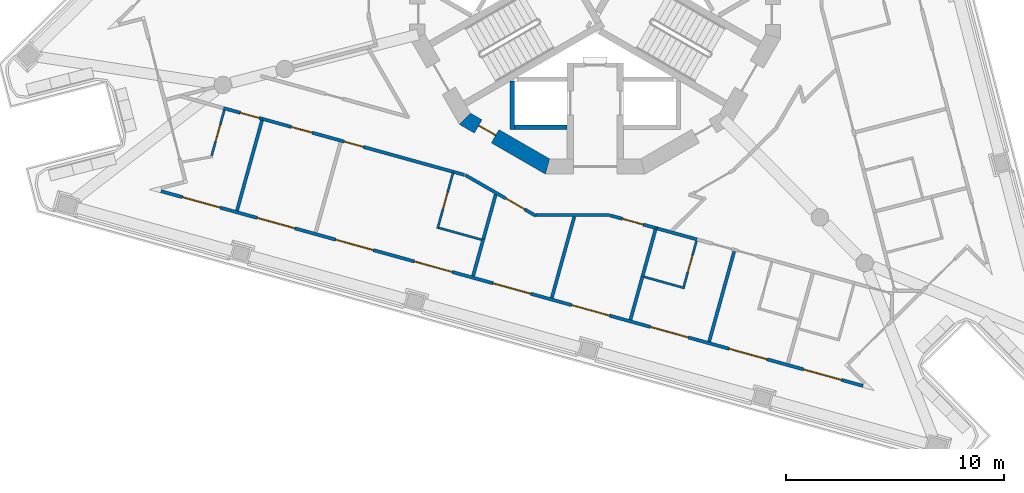
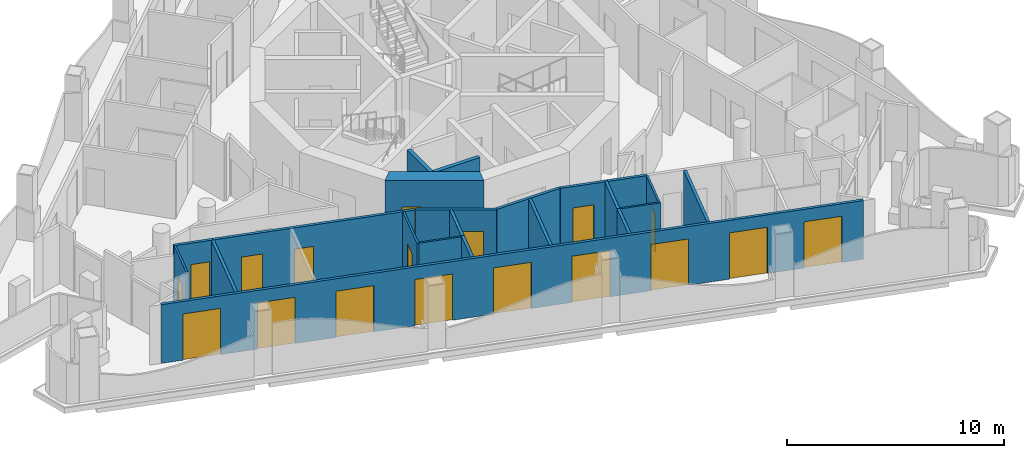
# One storey, part 2 of 14: 23 walls, 18 doors, 18 openings.
"""IFC4 building model written with IfcOpenShell, lengths in metres."""

import ifcopenshell
import ifcopenshell.guid

model = None  # the IFC model being written
_history = None  # IfcOwnerHistory: only IFC2X3 demands one
_inside = {}  # id of a spatial element -> (the spatial element, [elements in it])
_under = {}  # id of a project, library or spatial element -> (it, [spatial elements below it])
_declared = {}  # id of a project -> (the project, [libraries it declares])
_typed = {}  # id of a type object -> (the type object, [elements of that type])
_made_of = {}  # id of a material, layer set ... -> (it, [elements and type objects made of it])


def new_model(schema):
    """Start an empty IFC model of exactly this schema.

    Asked for "IFC4X3", IfcOpenShell would pick the latest addendum, in which some entities
    have other attributes; the version numbers below select the first issue.
    IFC2X3 requires an IfcOwnerHistory on every rooted entity: one is made here for all.
    """
    global model, _history
    if schema == "IFC4X3":
        model = ifcopenshell.file(schema_version=(4, 3, 0, 0))
    else:
        model = ifcopenshell.file(schema=schema)
    _inside.clear()
    _under.clear()
    _declared.clear()
    _typed.clear()
    _made_of.clear()
    _history = None
    if model.schema == "IFC2X3":
        org = make("IfcOrganization", Name="unknown")
        user = make(
            "IfcPersonAndOrganization",
            ThePerson=make("IfcPerson", FamilyName="unknown"),
            TheOrganization=org,
        )
        app = make(
            "IfcApplication",
            ApplicationDeveloper=org,
            Version="unknown",
            ApplicationFullName="unknown",
            ApplicationIdentifier="unknown",
        )
        _history = make(
            "IfcOwnerHistory",
            OwningUser=user,
            OwningApplication=app,
            ChangeAction="ADDED",
            CreationDate=0,
        )
    return model


def make(cls, **values):
    """One entity of the class cls with the attributes given. An attribute that is None is left unset."""
    return model.create_entity(
        cls, **{name: value for name, value in values.items() if value is not None}
    )


def rooted(cls, **values):
    """An entity with a GlobalId (a new one), such as an element, a storey or a relation."""
    return make(cls, GlobalId=ifcopenshell.guid.new(), OwnerHistory=_history, **values)


def si_unit(unit_type, name, prefix=None):
    """IfcSIUnit, for example si_unit("LENGTHUNIT", "METRE", prefix="MILLI")."""
    return make("IfcSIUnit", UnitType=unit_type, Prefix=prefix, Name=name)


def assignment(units):
    """IfcUnitAssignment: the units of a project."""
    return None if units is None else make("IfcUnitAssignment", Units=units)


def point(xyz):
    """IfcCartesianPoint."""
    return None if xyz is None else make("IfcCartesianPoint", Coordinates=xyz)


def direction(xyz):
    """IfcDirection."""
    return None if xyz is None else make("IfcDirection", DirectionRatios=xyz)


def frame(location, z_axis=None, x_axis=None):
    """IfcAxis2Placement3D, a coordinate frame: its origin and axes. An axis left out is left unset."""
    return make(
        "IfcAxis2Placement3D",
        Location=point(location),
        Axis=direction(z_axis),
        RefDirection=direction(x_axis),
    )


def frame_2d(location, x_axis=None):
    """IfcAxis2Placement2D, a coordinate frame in the plane: its origin and x axis."""
    return make(
        "IfcAxis2Placement2D", Location=point(location), RefDirection=direction(x_axis)
    )


def origin():
    """The frame at (0, 0, 0) with its axes left unset."""
    return frame((0.0, 0.0, 0.0))


def place(relative_to, where):
    """IfcLocalPlacement: puts the frame where relative to a parent placement (None: the world)."""
    return make(
        "IfcLocalPlacement", PlacementRelTo=relative_to, RelativePlacement=where
    )


def context(
    kind, dimensions, precision=None, world=None, true_north=None, identifier=None
):
    """IfcGeometricRepresentationContext, for example the 3D "Model" context."""
    return make(
        "IfcGeometricRepresentationContext",
        ContextIdentifier=identifier,
        ContextType=kind,
        CoordinateSpaceDimension=dimensions,
        Precision=precision,
        WorldCoordinateSystem=world,
        TrueNorth=true_north,
    )


def subcontext(parent, identifier, kind, view, scale=None):
    """IfcGeometricRepresentationSubContext, for example "Body" below "Model"."""
    return make(
        "IfcGeometricRepresentationSubContext",
        ContextIdentifier=identifier,
        ContextType=kind,
        ParentContext=parent,
        TargetScale=scale,
        TargetView=view,
    )


def project(units=None, contexts=None):
    """IfcProject with its units and contexts."""
    return rooted(
        "IfcProject",
        Name="project",
        RepresentationContexts=contexts,
        UnitsInContext=assignment(units),
    )


def spatial(cls, under=None, at=None, **own):
    """A site, building, storey or space (cls), placed at a placement, below another one or the project."""
    s = rooted(cls, ObjectPlacement=at, **own)
    if under is not None:
        _under.setdefault(under.id(), (under, []))[1].append(s)
    return s


def polyline(points):
    """IfcPolyline through the points."""
    return make("IfcPolyline", Points=[point(p) for p in points])


def profile(cls, at=None, kind="AREA", **sizes):
    """A parametric profile (cls). Its sizes go by their IFC names, for example OverallWidth=200.0."""
    return make(cls, ProfileType=kind, Position=at, **sizes)


def rectangle(**sizes):
    """IfcRectangleProfileDef."""
    return profile("IfcRectangleProfileDef", **sizes)


def outline(outer, holes=None, kind="AREA"):
    """IfcArbitraryClosedProfileDef: a profile drawn as a closed curve; with holes, ...WithVoids."""
    if holes is None:
        return make("IfcArbitraryClosedProfileDef", ProfileType=kind, OuterCurve=outer)
    return make(
        "IfcArbitraryProfileDefWithVoids",
        ProfileType=kind,
        OuterCurve=outer,
        InnerCurves=holes,
    )


def extrude(swept, where, along, depth):
    """IfcExtrudedAreaSolid: the profile swept, set in the frame where, extruded along a direction by depth."""
    return make(
        "IfcExtrudedAreaSolid",
        SweptArea=swept,
        Position=where,
        ExtrudedDirection=direction(along),
        Depth=depth,
    )


def shape(context_of_items, identifier, shape_type, items):
    """IfcShapeRepresentation: the items that make up one representation, for example the "Body"."""
    return make(
        "IfcShapeRepresentation",
        ContextOfItems=context_of_items,
        RepresentationIdentifier=identifier,
        RepresentationType=shape_type,
        Items=items,
    )


def material(Name=None, Category=None):
    """IfcMaterial."""
    return make("IfcMaterial", Name=Name, Category=Category)


def layer(
    of_material, thickness, ventilated=None, Name=None, Category=None, Priority=None
):
    """IfcMaterialLayer: one layer of a wall or slab, of a material (None: an air gap)."""
    return make(
        "IfcMaterialLayer",
        Material=of_material,
        LayerThickness=thickness,
        IsVentilated=ventilated,
        Name=Name,
        Category=Category,
        Priority=Priority,
    )


def layer_set(layers, Name=None):
    """IfcMaterialLayerSet."""
    return make("IfcMaterialLayerSet", MaterialLayers=layers, LayerSetName=Name)


def made_of(thing, what):
    """Note that an element or type object is made of a material, layer set ...; save() writes the relation."""
    if what is not None:
        _made_of.setdefault(what.id(), (what, []))[1].append(thing)
    return thing


def type_object(cls, material=None, **own):
    """A type object (cls), such as IfcWallType, which elements share."""
    return made_of(rooted(cls, **own), material)


def element(
    cls,
    number,
    at=None,
    inside=None,
    cuts=None,
    type_object=None,
    material=None,
    context=None,
    identifier="Body",
    shape_type=None,
    held_by="IfcProductDefinitionShape",
    body=None,
    shapes=None,
    **own,
):
    """One element of the class cls, such as IfcWall. Its Tag is "e" and its number.

    at: its placement. inside: the storey or other place that contains it. cuts: it is an
    opening in that element (IfcRelVoidsElement). A single representation is given by context,
    identifier, shape_type and body (its items); several are given by shapes. held_by: the class
    of the entity that holds the representations. save() writes the other relations.
    """
    e = rooted(cls, Tag="e%d" % number, ObjectPlacement=at, **own)
    if body is not None:
        shapes = [shape(context, identifier, shape_type, body)]
    if shapes is not None:
        e.Representation = make(held_by, Representations=shapes)
    if inside is not None:
        _inside.setdefault(inside.id(), (inside, []))[1].append(e)
    if cuts is not None:
        rooted(
            "IfcRelVoidsElement", RelatingBuildingElement=cuts, RelatedOpeningElement=e
        )
    if type_object is not None:
        _typed.setdefault(type_object.id(), (type_object, []))[1].append(e)
    return made_of(e, material)


def fill(opening, filler):
    """IfcRelFillsElement: the door or window that sits in an opening."""
    return rooted(
        "IfcRelFillsElement",
        RelatingOpeningElement=opening,
        RelatedBuildingElement=filler,
    )


def aggregate(whole, parts):
    """IfcRelAggregates: a whole, such as a stair, and the parts it consists of."""
    return rooted("IfcRelAggregates", RelatingObject=whole, RelatedObjects=parts)


def save(model, path):
    """Write the relations noted so far, then the file.

    IfcRelAggregates (storeys below a building ...), IfcRelContainedInSpatialStructure (elements
    in a storey), IfcRelDefinesByType, IfcRelAssociatesMaterial and IfcRelDeclares: one each for
    every whole, place, type object, material and project.
    """
    for whole, parts in _under.values():
        aggregate(whole, parts)
    for where, things in _inside.values():
        rooted(
            "IfcRelContainedInSpatialStructure",
            RelatedElements=things,
            RelatingStructure=where,
        )
    for kind, things in _typed.values():
        rooted("IfcRelDefinesByType", RelatedObjects=things, RelatingType=kind)
    for what, things in _made_of.values():
        rooted("IfcRelAssociatesMaterial", RelatedObjects=things, RelatingMaterial=what)
    for by, libraries in _declared.values():
        rooted("IfcRelDeclares", RelatingContext=by, RelatedDefinitions=libraries)
    model.write(path)


model = new_model("IFC4")

# Units and contexts
model_context = context("Model", 3, precision=1e-05, world=origin(), true_north=direction((0.0, 1.0)))
body_context = subcontext(model_context, "Body", "Model", "MODEL_VIEW")
ifc_project = project(units=[si_unit("LENGTHUNIT", "METRE"), si_unit("AREAUNIT", "SQUARE_METRE"), si_unit("VOLUMEUNIT", "CUBIC_METRE"), si_unit("PLANEANGLEUNIT", "RADIAN"), si_unit("MASSUNIT", "GRAM", prefix="KILO")], contexts=[model_context])

# Site, building, storey
site_placement = place(None, origin())
site = spatial("IfcSite", under=ifc_project, at=site_placement, CompositionType="ELEMENT")
building_placement = place(site_placement, origin())
building = spatial("IfcBuilding", under=site, at=building_placement, Name="Trine Commons Tower", CompositionType="ELEMENT")
storey_placement = place(building_placement, frame((0.0, 0.0, 245.699951171875)))
storey = spatial("IfcBuildingStorey", under=building, at=storey_placement, Name="L64", CompositionType="ELEMENT", Elevation=245.699951171875)

# Wall, openings, doors
ifc_material_1 = material(Name="Aluminium-framed insulated wall panel", Category="aluminium")
ifc_layer_1 = layer(ifc_material_1, 0.14990234375)
ifc_layer_set_1 = layer_set([ifc_layer_1], Name="Aluminium-framed insulated wall panel")
wall_type_1 = type_object("IfcWallType", Name="Glazed frame wall 150, EI 60", PredefinedType="SOLIDWALL", material=ifc_layer_set_1)
wall_1_placement = place(storey_placement, frame((92.4189453125, 44.2548828125, 0.0), z_axis=(0.0, 0.0, 1.0), x_axis=(-0.963630586427, 0.267237895708, 0.0)))
wall_1 = element("IfcWall", 1, at=wall_1_placement, inside=storey, type_object=wall_type_1, Name="Glazed frame wall F3", PredefinedType="SOLIDWALL", context=body_context, shape_type="SweptSolid", body=[
    extrude(outline(polyline([(0.1494140625, 0.074951171875), (0.1494140625, -0.074951171875), (33.536865234375, -0.074951171875), (33.536865234375, 0.074951171875), (0.1494140625, 0.074951171875)])), origin(), (0.0, 0.0, 1.0), 3.300048828125),
])
opening_1_placement = place(wall_1_placement, frame((1.17138671875, 0.0, 0.0)))
opening_1 = element("IfcOpeningElement", 2, at=opening_1_placement, cuts=wall_1, Name="Opening BD-7F3-01", PredefinedType="OPENING", context=body_context, shape_type="SweptSolid", body=[
    extrude(rectangle(XDim=1.800048828125, YDim=2.60009765625, at=frame_2d((0.89990234375, 1.300048828125))), frame((0.0, 0.0849609375, 0.0), z_axis=(0.0, -1.0, 0.0), x_axis=(1.0, 0.0, 0.0)), (0.0, 0.0, 1.0), 0.169921875),
])
opening_2_placement = place(wall_1_placement, frame((4.71435546875, 0.0, 0.0)))
opening_2 = element("IfcOpeningElement", 3, at=opening_2_placement, cuts=wall_1, Name="Opening BD-7F3-02", PredefinedType="OPENING", context=body_context, shape_type="SweptSolid", body=[
    extrude(rectangle(XDim=1.800048828125, YDim=2.60009765625, at=frame_2d((0.89990234375, 1.300048828125))), frame((0.0, 0.0849609375, 0.0), z_axis=(0.0, -1.0, 0.0), x_axis=(1.0, 0.0, 0.0)), (0.0, 0.0, 1.0), 0.169921875),
])
opening_3_placement = place(wall_1_placement, frame((8.457275390625, 0.0, 0.0)))
opening_3 = element("IfcOpeningElement", 4, at=opening_3_placement, cuts=wall_1, Name="Opening BD-7F3-03", PredefinedType="OPENING", context=body_context, shape_type="SweptSolid", body=[
    extrude(rectangle(XDim=1.800048828125, YDim=2.60009765625, at=frame_2d((0.89990234375, 1.300048828125))), frame((0.0, 0.0849609375, 0.0), z_axis=(0.0, -1.0, 0.0), x_axis=(1.0, 0.0, 0.0)), (0.0, 0.0, 1.0), 0.169921875),
])
opening_4_placement = place(wall_1_placement, frame((12.2001953125, 0.0, 0.0)))
opening_4 = element("IfcOpeningElement", 5, at=opening_4_placement, cuts=wall_1, Name="Opening BD-7F3-04", PredefinedType="OPENING", context=body_context, shape_type="SweptSolid", body=[
    extrude(rectangle(XDim=1.800048828125, YDim=2.60009765625, at=frame_2d((0.89990234375, 1.300048828125))), frame((0.0, 0.0849609375, 0.0), z_axis=(0.0, -1.0, 0.0), x_axis=(1.0, 0.0, 0.0)), (0.0, 0.0, 1.0), 0.169921875),
])
opening_5_placement = place(wall_1_placement, frame((15.943115234375, 0.0, 0.0)))
opening_5 = element("IfcOpeningElement", 6, at=opening_5_placement, cuts=wall_1, Name="Opening BD-7F3-05", PredefinedType="OPENING", context=body_context, shape_type="SweptSolid", body=[
    extrude(rectangle(XDim=1.800048828125, YDim=2.60009765625, at=frame_2d((0.89990234375, 1.300048828125))), frame((0.0, 0.0849609375, 0.0), z_axis=(0.0, -1.0, 0.0), x_axis=(1.0, 0.0, 0.0)), (0.0, 0.0, 1.0), 0.169921875),
])
opening_6_placement = place(wall_1_placement, frame((19.68603515625, 0.0, 0.0)))
opening_6 = element("IfcOpeningElement", 7, at=opening_6_placement, cuts=wall_1, Name="Opening BD-7F3-06", PredefinedType="OPENING", context=body_context, shape_type="SweptSolid", body=[
    extrude(rectangle(XDim=1.800048828125, YDim=2.60009765625, at=frame_2d((0.89990234375, 1.300048828125))), frame((0.0, 0.0849609375, 0.0), z_axis=(0.0, -1.0, 0.0), x_axis=(1.0, 0.0, 0.0)), (0.0, 0.0, 1.0), 0.169921875),
])
opening_7_placement = place(wall_1_placement, frame((23.428955078125, 0.0, 0.0)))
opening_7 = element("IfcOpeningElement", 8, at=opening_7_placement, cuts=wall_1, Name="Opening BD-7F3-07", PredefinedType="OPENING", context=body_context, shape_type="SweptSolid", body=[
    extrude(rectangle(XDim=1.800048828125, YDim=2.60009765625, at=frame_2d((0.89990234375, 1.300048828125))), frame((0.0, 0.0849609375, 0.0), z_axis=(0.0, -1.0, 0.0), x_axis=(1.0, 0.0, 0.0)), (0.0, 0.0, 1.0), 0.169921875),
])
opening_8_placement = place(wall_1_placement, frame((27.171875, 0.0, 0.0)))
opening_8 = element("IfcOpeningElement", 9, at=opening_8_placement, cuts=wall_1, Name="Opening BD-7F3-08", PredefinedType="OPENING", context=body_context, shape_type="SweptSolid", body=[
    extrude(rectangle(XDim=1.800048828125, YDim=2.60009765625, at=frame_2d((0.89990234375, 1.300048828125))), frame((0.0, 0.0849609375, 0.0), z_axis=(0.0, -1.0, 0.0), x_axis=(1.0, 0.0, 0.0)), (0.0, 0.0, 1.0), 0.169921875),
])
opening_9_placement = place(wall_1_placement, frame((30.714599609375, 0.0, 0.0)))
opening_9 = element("IfcOpeningElement", 10, at=opening_9_placement, cuts=wall_1, Name="Opening BD-7F3-09", PredefinedType="OPENING", context=body_context, shape_type="SweptSolid", body=[
    extrude(rectangle(XDim=1.800048828125, YDim=2.60009765625, at=frame_2d((0.89990234375, 1.300048828125))), frame((0.0, 0.0849609375, 0.0), z_axis=(0.0, -1.0, 0.0), x_axis=(1.0, 0.0, 0.0)), (0.0, 0.0, 1.0), 0.169921875),
])
ifc_material_2 = material(Name="Anodised aluminium frame with double glazing", Category="aluminium")
door_type_1 = type_object("IfcDoorType", Name="Sliding loggia door 1800x2600", OperationType="SLIDING_TO_LEFT", PredefinedType="DOOR", material=ifc_material_2)
door_1_placement = place(opening_1_placement, origin())
door_1 = element("IfcDoor", 11, at=door_1_placement, inside=storey, type_object=door_type_1, Name="Loggia door F3 1", OperationType="SLIDING_TO_LEFT", OverallHeight=2.60009765625, OverallWidth=1.800048828125, PredefinedType="DOOR", context=body_context, shape_type="SweptSolid", body=[
    extrude(rectangle(XDim=1.800048828125, YDim=2.60009765625, at=frame_2d((0.89990234375, 1.300048828125))), frame((0.0, 0.02490234375, 0.0), z_axis=(0.0, -1.0, 0.0), x_axis=(1.0, 0.0, 0.0)), (0.0, 0.0, 1.0), 0.050048828125),
])
fill(opening_1, door_1)
door_2_placement = place(opening_2_placement, origin())
door_2 = element("IfcDoor", 12, at=door_2_placement, inside=storey, type_object=door_type_1, Name="Loggia door F3 2", OperationType="SLIDING_TO_LEFT", OverallHeight=2.60009765625, OverallWidth=1.800048828125, PredefinedType="DOOR", context=body_context, shape_type="SweptSolid", body=[
    extrude(rectangle(XDim=1.800048828125, YDim=2.60009765625, at=frame_2d((0.89990234375, 1.300048828125))), frame((0.0, 0.02490234375, 0.0), z_axis=(0.0, -1.0, 0.0), x_axis=(1.0, 0.0, 0.0)), (0.0, 0.0, 1.0), 0.050048828125),
])
fill(opening_2, door_2)
door_3_placement = place(opening_3_placement, origin())
door_3 = element("IfcDoor", 13, at=door_3_placement, inside=storey, type_object=door_type_1, Name="Loggia door F3 3", OperationType="SLIDING_TO_LEFT", OverallHeight=2.60009765625, OverallWidth=1.800048828125, PredefinedType="DOOR", context=body_context, shape_type="SweptSolid", body=[
    extrude(rectangle(XDim=1.800048828125, YDim=2.60009765625, at=frame_2d((0.89990234375, 1.300048828125))), frame((0.0, 0.02490234375, 0.0), z_axis=(0.0, -1.0, 0.0), x_axis=(1.0, 0.0, 0.0)), (0.0, 0.0, 1.0), 0.050048828125),
])
fill(opening_3, door_3)
door_4_placement = place(opening_4_placement, origin())
door_4 = element("IfcDoor", 14, at=door_4_placement, inside=storey, type_object=door_type_1, Name="Loggia door F3 4", OperationType="SLIDING_TO_LEFT", OverallHeight=2.60009765625, OverallWidth=1.800048828125, PredefinedType="DOOR", context=body_context, shape_type="SweptSolid", body=[
    extrude(rectangle(XDim=1.800048828125, YDim=2.60009765625, at=frame_2d((0.89990234375, 1.300048828125))), frame((0.0, 0.02490234375, 0.0), z_axis=(0.0, -1.0, 0.0), x_axis=(1.0, 0.0, 0.0)), (0.0, 0.0, 1.0), 0.050048828125),
])
fill(opening_4, door_4)
door_5_placement = place(opening_5_placement, origin())
door_5 = element("IfcDoor", 15, at=door_5_placement, inside=storey, type_object=door_type_1, Name="Loggia door F3 5", OperationType="SLIDING_TO_LEFT", OverallHeight=2.60009765625, OverallWidth=1.800048828125, PredefinedType="DOOR", context=body_context, shape_type="SweptSolid", body=[
    extrude(rectangle(XDim=1.800048828125, YDim=2.60009765625, at=frame_2d((0.89990234375, 1.300048828125))), frame((0.0, 0.02490234375, 0.0), z_axis=(0.0, -1.0, 0.0), x_axis=(1.0, 0.0, 0.0)), (0.0, 0.0, 1.0), 0.050048828125),
])
fill(opening_5, door_5)
door_6_placement = place(opening_6_placement, origin())
door_6 = element("IfcDoor", 16, at=door_6_placement, inside=storey, type_object=door_type_1, Name="Loggia door F3 6", OperationType="SLIDING_TO_LEFT", OverallHeight=2.60009765625, OverallWidth=1.800048828125, PredefinedType="DOOR", context=body_context, shape_type="SweptSolid", body=[
    extrude(rectangle(XDim=1.800048828125, YDim=2.60009765625, at=frame_2d((0.89990234375, 1.300048828125))), frame((0.0, 0.02490234375, 0.0), z_axis=(0.0, -1.0, 0.0), x_axis=(1.0, 0.0, 0.0)), (0.0, 0.0, 1.0), 0.050048828125),
])
fill(opening_6, door_6)
door_7_placement = place(opening_7_placement, origin())
door_7 = element("IfcDoor", 17, at=door_7_placement, inside=storey, type_object=door_type_1, Name="Loggia door F3 7", OperationType="SLIDING_TO_LEFT", OverallHeight=2.60009765625, OverallWidth=1.800048828125, PredefinedType="DOOR", context=body_context, shape_type="SweptSolid", body=[
    extrude(rectangle(XDim=1.800048828125, YDim=2.60009765625, at=frame_2d((0.89990234375, 1.300048828125))), frame((0.0, 0.02490234375, 0.0), z_axis=(0.0, -1.0, 0.0), x_axis=(1.0, 0.0, 0.0)), (0.0, 0.0, 1.0), 0.050048828125),
])
fill(opening_7, door_7)
door_8_placement = place(opening_8_placement, origin())
door_8 = element("IfcDoor", 18, at=door_8_placement, inside=storey, type_object=door_type_1, Name="Loggia door F3 8", OperationType="SLIDING_TO_LEFT", OverallHeight=2.60009765625, OverallWidth=1.800048828125, PredefinedType="DOOR", context=body_context, shape_type="SweptSolid", body=[
    extrude(rectangle(XDim=1.800048828125, YDim=2.60009765625, at=frame_2d((0.89990234375, 1.300048828125))), frame((0.0, 0.02490234375, 0.0), z_axis=(0.0, -1.0, 0.0), x_axis=(1.0, 0.0, 0.0)), (0.0, 0.0, 1.0), 0.050048828125),
])
fill(opening_8, door_8)
door_9_placement = place(opening_9_placement, origin())
door_9 = element("IfcDoor", 19, at=door_9_placement, inside=storey, type_object=door_type_1, Name="Loggia door F3 9", OperationType="SLIDING_TO_LEFT", OverallHeight=2.60009765625, OverallWidth=1.800048828125, PredefinedType="DOOR", context=body_context, shape_type="SweptSolid", body=[
    extrude(rectangle(XDim=1.800048828125, YDim=2.60009765625, at=frame_2d((0.89990234375, 1.300048828125))), frame((0.0, 0.02490234375, 0.0), z_axis=(0.0, -1.0, 0.0), x_axis=(1.0, 0.0, 0.0)), (0.0, 0.0, 1.0), 0.050048828125),
])
fill(opening_9, door_9)

# Wall, opening, door
ifc_material_3 = material(Name="Concrete C50/60", Category="concrete")
ifc_layer_2 = layer(ifc_material_3, 0.699951171875)
ifc_layer_set_2 = layer_set([ifc_layer_2], Name="Concrete C50/60")
wall_type_2 = type_object("IfcWallType", Name="RC shear wall 700 mm, C50/60", PredefinedType="SHEAR", material=ifc_layer_set_2)
wall_2_placement = place(storey_placement, frame((73.952392578125, 56.58056640625, 0.0), z_axis=(0.0, 0.0, 1.0), x_axis=(0.866034756103, -0.499983800959, 0.0)))
wall_2 = element("IfcWall", 20, at=wall_2_placement, inside=storey, type_object=wall_type_2, Name="Core wall CWG-09 L64", PredefinedType="SHEAR", context=body_context, shape_type="SweptSolid", body=[
    extrude(outline(polyline([(0.0, -0.35009765625), (4.55517578125, -0.35009765625), (4.36767578125, 0.35009765625), (0.1875, 0.35009765625), (0.0, -0.35009765625)])), origin(), (0.0, 0.0, 1.0), 3.60009765625),
])
opening_10_placement = place(wall_2_placement, frame((0.791015625, 0.0, 0.0)))
opening_10 = element("IfcOpeningElement", 21, at=opening_10_placement, cuts=wall_2, Name="Opening K16.15", PredefinedType="OPENING", context=body_context, shape_type="SweptSolid", body=[
    extrude(rectangle(XDim=0.89990234375, YDim=2.10009765625, at=frame_2d((0.449951171875, 1.050048828125))), frame((0.0, 0.35986328125, 0.0), z_axis=(0.0, -1.0, 0.0), x_axis=(1.0, 0.0, 0.0)), (0.0, 0.0, 1.0), 0.719970703125),
])
ifc_material_4 = material(Name="Steel door leaf, fire-rated", Category="steel")
door_type_2 = type_object("IfcDoorType", Name="Core room door, single leaf 900 x 2100, FD30S", OperationType="SINGLE_SWING_LEFT", PredefinedType="DOOR", material=ifc_material_4)
door_10_placement = place(opening_10_placement, origin())
door_10 = element("IfcDoor", 22, at=door_10_placement, inside=storey, type_object=door_type_2, Name="Door to Parcel store L64", OperationType="SINGLE_SWING_LEFT", OverallHeight=2.10009765625, OverallWidth=0.89990234375, PredefinedType="DOOR", context=body_context, shape_type="SweptSolid", body=[
    extrude(rectangle(XDim=0.89990234375, YDim=2.10009765625, at=frame_2d((0.449951171875, 1.050048828125))), frame((0.0, 0.0751953125, 0.0), z_axis=(0.0, -1.0, 0.0), x_axis=(1.0, 0.0, 0.0)), (0.0, 0.0, 1.0), 0.050048828125),
])
fill(opening_10, door_10)

# Walls
ifc_material_5 = material(Name="Fire-rated gypsum shaft wall system")
ifc_layer_3 = layer(ifc_material_5, 0.199951171875)
ifc_layer_set_3 = layer_set([ifc_layer_3], Name="Fire-rated gypsum shaft wall system")
wall_type_3 = type_object("IfcWallType", Name="Shaft wall 200 mm, EI 120", PredefinedType="PARTITIONING", material=ifc_layer_set_3)
wall_3_placement = place(storey_placement, frame((76.199951171875, 58.257080078125, 0.0), z_axis=(0.0, 0.0, 1.0), x_axis=(0.0, -1.0, 0.0)))
element("IfcWall", 23, at=wall_3_placement, inside=storey, type_object=wall_type_3, Name="Shaft wall L64", PredefinedType="PARTITIONING", context=body_context, shape_type="SweptSolid", body=[
    extrude(rectangle(XDim=2.20703125, YDim=0.199951171875, at=frame_2d((1.103515625, 0.0))), origin(), (0.0, 0.0, 1.0), 3.300048828125),
])
wall_4_placement = place(storey_placement, frame((78.699951171875, 56.14990234375, 0.0), z_axis=(0.0, 0.0, 1.0), x_axis=(-1.0, 0.0, 0.0)))
element("IfcWall", 24, at=wall_4_placement, inside=storey, type_object=wall_type_3, Name="Shaft wall L64", PredefinedType="PARTITIONING", context=body_context, shape_type="SweptSolid", body=[
    extrude(rectangle(XDim=2.39990234375, YDim=0.199951171875, at=frame_2d((1.199951171875, 0.0))), origin(), (0.0, 0.0, 1.0), 3.300048828125),
])

# Wall, opening, door
ifc_material_6 = material(Name="Gypsum plasterboard on steel stud", Category="steel")
ifc_layer_4 = layer(ifc_material_6, 0.14990234375)
ifc_layer_set_4 = layer_set([ifc_layer_4], Name="Gypsum plasterboard on steel stud")
wall_type_4 = type_object("IfcWallType", Name="Unit and corridor wall 150 mm, EI 60", PredefinedType="PARTITIONING", material=ifc_layer_set_4)
wall_5_placement = place(storey_placement, frame((62.9697265625, 57.0244140625, 0.0), z_axis=(0.0, 0.0, 1.0), x_axis=(0.963687744937, -0.267031702723, 0.0)))
wall_5 = element("IfcWall", 25, at=wall_5_placement, inside=storey, type_object=wall_type_4, Name="Partition 006", PredefinedType="PARTITIONING", context=body_context, shape_type="SweptSolid", body=[
    extrude(rectangle(XDim=1.851318359375, YDim=0.14990234375, at=frame_2d((0.92578125, 0.0))), origin(), (0.0, 0.0, 1.0), 3.300048828125),
])
opening_11_placement = place(wall_5_placement, frame((0.79736328125, 0.0, 0.0)))
opening_11 = element("IfcOpeningElement", 26, at=opening_11_placement, cuts=wall_5, Name="Opening D-7B23", PredefinedType="OPENING", context=body_context, shape_type="SweptSolid", body=[
    extrude(rectangle(XDim=0.89990234375, YDim=2.10009765625, at=frame_2d((0.449951171875, 1.050048828125))), frame((0.0, 0.0849609375, 0.0), z_axis=(0.0, -1.0, 0.0), x_axis=(1.0, 0.0, 0.0)), (0.0, 0.0, 1.0), 0.169921875),
])
ifc_material_7 = material(Name="Timber fire door set", Category="wood")
door_type_3 = type_object("IfcDoorType", Name="Bedroom door 900 x 2100, FD30S", OperationType="NOTDEFINED", PredefinedType="DOOR", material=ifc_material_7)
door_11_placement = place(opening_11_placement, frame((0.89990234375, 0.0, 0.0), z_axis=(0.0, 0.0, 1.0), x_axis=(-1.0, 0.0, 0.0)))
door_11 = element("IfcDoor", 27, at=door_11_placement, inside=storey, type_object=door_type_3, Name="Door D-7B23", OperationType="SINGLE_SWING_LEFT", OverallHeight=2.10009765625, OverallWidth=0.89990234375, PredefinedType="DOOR", context=body_context, shape_type="SweptSolid", body=[
    extrude(rectangle(XDim=0.89990234375, YDim=2.10009765625, at=frame_2d((0.449951171875, 1.050048828125))), frame((0.0, 0.02490234375, 0.0), z_axis=(0.0, -1.0, 0.0), x_axis=(1.0, 0.0, 0.0)), (0.0, 0.0, 1.0), 0.050048828125),
])
fill(opening_11, door_11)

# Wall
wall_6_placement = place(storey_placement, frame((63.584716796875, 52.32958984375, 0.0), z_axis=(0.0, 0.0, 1.0), x_axis=(0.267270648008, 0.963621502828, 0.0)))
element("IfcWall", 28, at=wall_6_placement, inside=storey, type_object=wall_type_4, Name="Partition 008", PredefinedType="PARTITIONING", context=body_context, shape_type="SweptSolid", body=[
    extrude(rectangle(XDim=4.284912109375, YDim=0.14990234375, at=frame_2d((2.142578125, 0.0))), origin(), (0.0, 0.0, 1.0), 3.300048828125),
])

# Wall, openings, doors
wall_7_placement = place(storey_placement, frame((64.74609375, 56.531982421875, 0.0), z_axis=(0.0, 0.0, 1.0), x_axis=(0.963636492765, -0.267216597184, 0.0)))
wall_7 = element("IfcWall", 29, at=wall_7_placement, inside=storey, type_object=wall_type_4, Name="Partition 010", PredefinedType="PARTITIONING", context=body_context, shape_type="SweptSolid", body=[
    extrude(rectangle(XDim=9.136474609375, YDim=0.14990234375, at=frame_2d((4.568359375, 0.0))), origin(), (0.0, 0.0, 1.0), 3.300048828125),
])
opening_12_placement = place(wall_7_placement, frame((3.8974609375, 0.0, 0.0)))
opening_12 = element("IfcOpeningElement", 30, at=opening_12_placement, cuts=wall_7, Name="Opening D-7B21", PredefinedType="OPENING", context=body_context, shape_type="SweptSolid", body=[
    extrude(rectangle(XDim=0.89990234375, YDim=2.10009765625, at=frame_2d((0.449951171875, 1.050048828125))), frame((0.0, 0.0849609375, 0.0), z_axis=(0.0, -1.0, 0.0), x_axis=(1.0, 0.0, 0.0)), (0.0, 0.0, 1.0), 0.169921875),
])
opening_13_placement = place(wall_7_placement, frame((1.375732421875, 0.0, 0.0)))
opening_13 = element("IfcOpeningElement", 31, at=opening_13_placement, cuts=wall_7, Name="Opening D-7B22", PredefinedType="OPENING", context=body_context, shape_type="SweptSolid", body=[
    extrude(rectangle(XDim=1.0, YDim=2.10009765625, at=frame_2d((0.5, 1.050048828125))), frame((0.0, 0.0849609375, 0.0), z_axis=(0.0, -1.0, 0.0), x_axis=(1.0, 0.0, 0.0)), (0.0, 0.0, 1.0), 0.169921875),
])
ifc_material_8 = material(Name="Painted timber", Category="wood")
door_type_4 = type_object("IfcDoorType", Name="Amenity room door 1000 x 2100, NOT RATED", OperationType="NOTDEFINED", PredefinedType="DOOR", material=ifc_material_8)
door_12_placement = place(opening_13_placement, frame((1.0, 0.0, 0.0), z_axis=(0.0, 0.0, 1.0), x_axis=(-1.0, 0.0, 0.0)))
door_12 = element("IfcDoor", 32, at=door_12_placement, inside=storey, type_object=door_type_4, Name="Door D-7B22", OperationType="SINGLE_SWING_RIGHT", OverallHeight=2.10009765625, OverallWidth=1.0, PredefinedType="DOOR", context=body_context, shape_type="SweptSolid", body=[
    extrude(rectangle(XDim=1.0, YDim=2.10009765625, at=frame_2d((0.5, 1.050048828125))), frame((0.0, 0.02490234375, 0.0), z_axis=(0.0, -1.0, 0.0), x_axis=(1.0, 0.0, 0.0)), (0.0, 0.0, 1.0), 0.050048828125),
])
fill(opening_13, door_12)
door_13_placement = place(opening_12_placement, frame((0.89990234375, 0.0, 0.0), z_axis=(0.0, 0.0, 1.0), x_axis=(-1.0, 0.0, 0.0)))
door_13 = element("IfcDoor", 33, at=door_13_placement, inside=storey, type_object=door_type_3, Name="Door D-7B21", OperationType="SINGLE_SWING_RIGHT", OverallHeight=2.10009765625, OverallWidth=0.89990234375, PredefinedType="DOOR", context=body_context, shape_type="SweptSolid", body=[
    extrude(rectangle(XDim=0.89990234375, YDim=2.10009765625, at=frame_2d((0.449951171875, 1.050048828125))), frame((0.0, 0.02490234375, 0.0), z_axis=(0.0, -1.0, 0.0), x_axis=(1.0, 0.0, 0.0)), (0.0, 0.0, 1.0), 0.050048828125),
])
fill(opening_12, door_13)

# Wall
wall_8_placement = place(storey_placement, frame((73.4951171875, 54.10595703125, 0.0), z_axis=(0.0, 0.0, 1.0), x_axis=(0.963398829282, -0.268072183819, 0.0)))
element("IfcWall", 34, at=wall_8_placement, inside=storey, type_object=wall_type_4, Name="Partition 035", PredefinedType="PARTITIONING", context=body_context, shape_type="SweptSolid", body=[
    extrude(rectangle(XDim=0.529052734375, YDim=0.14990234375, at=frame_2d((0.2646484375, 0.0))), origin(), (0.0, 0.0, 1.0), 3.300048828125),
])

# Wall, opening, door
wall_9_placement = place(storey_placement, frame((74.049072265625, 53.9560546875, 0.0), z_axis=(0.0, 0.0, 1.0), x_axis=(0.865974487503, -0.500088179218, 0.0)))
wall_9 = element("IfcWall", 35, at=wall_9_placement, inside=storey, type_object=wall_type_4, Name="Partition 036", PredefinedType="PARTITIONING", context=body_context, shape_type="SweptSolid", body=[
    extrude(rectangle(XDim=3.736572265625, YDim=0.14990234375, at=frame_2d((1.8681640625, 0.0))), origin(), (0.0, 0.0, 1.0), 3.300048828125),
])
opening_14_placement = place(wall_9_placement, frame((2.146728515625, 0.0, 0.0)))
opening_14 = element("IfcOpeningElement", 36, at=opening_14_placement, cuts=wall_9, Name="Opening D-7B20", PredefinedType="OPENING", context=body_context, shape_type="SweptSolid", body=[
    extrude(rectangle(XDim=1.0, YDim=2.10009765625, at=frame_2d((0.5, 1.050048828125))), frame((0.0, 0.0849609375, 0.0), z_axis=(0.0, -1.0, 0.0), x_axis=(1.0, 0.0, 0.0)), (0.0, 0.0, 1.0), 0.169921875),
])
door_type_5 = type_object("IfcDoorType", Name="Toilet door 1000 x 2100, NOT RATED", OperationType="NOTDEFINED", PredefinedType="DOOR", material=ifc_material_8)
door_14_placement = place(opening_14_placement, frame((1.0, 0.0, 0.0), z_axis=(0.0, 0.0, 1.0), x_axis=(-1.0, 0.0, 0.0)))
door_14 = element("IfcDoor", 37, at=door_14_placement, inside=storey, type_object=door_type_5, Name="Door D-7B20", OperationType="SINGLE_SWING_LEFT", OverallHeight=2.10009765625, OverallWidth=1.0, PredefinedType="DOOR", context=body_context, shape_type="SweptSolid", body=[
    extrude(rectangle(XDim=1.0, YDim=2.10009765625, at=frame_2d((0.5, 1.050048828125))), frame((0.0, 0.02490234375, 0.0), z_axis=(0.0, -1.0, 0.0), x_axis=(1.0, 0.0, 0.0)), (0.0, 0.0, 1.0), 0.050048828125),
])
fill(opening_14, door_14)

# Walls
wall_10_placement = place(storey_placement, frame((74.40478515625, 49.32861328125, 0.0), z_axis=(0.0, 0.0, 1.0), x_axis=(0.267401148385, 0.963585297648, 0.0)))
element("IfcWall", 38, at=wall_10_placement, inside=storey, type_object=wall_type_4, Name="Partition 039", PredefinedType="PARTITIONING", context=body_context, shape_type="SweptSolid", body=[
    extrude(rectangle(XDim=1.763916015625, YDim=0.14990234375, at=frame_2d((0.8818359375, 0.0))), origin(), (0.0, 0.0, 1.0), 3.300048828125),
])
wall_11_placement = place(storey_placement, frame((74.861083984375, 50.971923828125, 0.0), z_axis=(0.0, 0.0, 1.0), x_axis=(0.267076384881, 0.963675362681, 0.0)))
element("IfcWall", 39, at=wall_11_placement, inside=storey, type_object=wall_type_4, Name="Partition 040", PredefinedType="PARTITIONING", context=body_context, shape_type="SweptSolid", body=[
    extrude(rectangle(XDim=2.1748046875, YDim=0.14990234375, at=frame_2d((1.08740234375, 0.0))), origin(), (0.0, 0.0, 1.0), 3.300048828125),
])
wall_12_placement = place(storey_placement, frame((77.294921875, 52.125, 0.0), z_axis=(0.0, 0.0, 1.0), x_axis=(1.0, 0.0, 0.0)))
element("IfcWall", 40, at=wall_12_placement, inside=storey, type_object=wall_type_4, Name="Partition 044", PredefinedType="PARTITIONING", context=body_context, shape_type="SweptSolid", body=[
    extrude(rectangle(XDim=3.35595703125, YDim=0.14990234375, at=frame_2d((1.677978515625, 0.0))), origin(), (0.0, 0.0, 1.0), 3.300048828125),
])
wall_13_placement = place(storey_placement, frame((78.01171875, 48.32861328125, 0.0), z_axis=(0.0, 0.0, 1.0), x_axis=(0.267337590954, 0.963602932988, 0.0)))
element("IfcWall", 41, at=wall_13_placement, inside=storey, type_object=wall_type_4, Name="Partition 045", PredefinedType="PARTITIONING", context=body_context, shape_type="SweptSolid", body=[
    extrude(rectangle(XDim=3.86474609375, YDim=0.14990234375, at=frame_2d((1.932373046875, 0.0))), origin(), (0.0, 0.0, 1.0), 3.300048828125),
])

# Wall, opening, door
wall_14_placement = place(storey_placement, frame((80.681884765625, 52.110107421875, 0.0), z_axis=(0.0, 0.0, 1.0), x_axis=(0.96358351927, -0.267407556722, 0.0)))
wall_14 = element("IfcWall", 42, at=wall_14_placement, inside=storey, type_object=wall_type_4, Name="Partition 049", PredefinedType="PARTITIONING", context=body_context, shape_type="SweptSolid", body=[
    extrude(rectangle(XDim=2.184814453125, YDim=0.14990234375, at=frame_2d((1.09228515625, 0.0))), origin(), (0.0, 0.0, 1.0), 3.300048828125),
])
opening_15_placement = place(wall_14_placement, frame((0.590576171875, 0.0, 0.0)))
opening_15 = element("IfcOpeningElement", 43, at=opening_15_placement, cuts=wall_14, Name="Opening D-7B19", PredefinedType="OPENING", context=body_context, shape_type="SweptSolid", body=[
    extrude(rectangle(XDim=1.0, YDim=2.10009765625, at=frame_2d((0.5, 1.050048828125))), frame((0.0, 0.0849609375, 0.0), z_axis=(0.0, -1.0, 0.0), x_axis=(1.0, 0.0, 0.0)), (0.0, 0.0, 1.0), 0.169921875),
])
door_15_placement = place(opening_15_placement, frame((1.0, 0.0, 0.0), z_axis=(0.0, 0.0, 1.0), x_axis=(-1.0, 0.0, 0.0)))
door_15 = element("IfcDoor", 44, at=door_15_placement, inside=storey, type_object=door_type_4, Name="Door D-7B19", OperationType="SINGLE_SWING_RIGHT", OverallHeight=2.10009765625, OverallWidth=1.0, PredefinedType="DOOR", context=body_context, shape_type="SweptSolid", body=[
    extrude(rectangle(XDim=1.0, YDim=2.10009765625, at=frame_2d((0.5, 1.050048828125))), frame((0.0, 0.02490234375, 0.0), z_axis=(0.0, -1.0, 0.0), x_axis=(1.0, 0.0, 0.0)), (0.0, 0.0, 1.0), 0.050048828125),
])
fill(opening_15, door_15)

# Walls
wall_15_placement = place(storey_placement, frame((81.61865234375, 47.327392578125, 0.0), z_axis=(0.0, 0.0, 1.0), x_axis=(0.267075474737, 0.963675614921, 0.0)))
element("IfcWall", 45, at=wall_15_placement, inside=storey, type_object=wall_type_4, Name="Partition 050", PredefinedType="PARTITIONING", context=body_context, shape_type="SweptSolid", body=[
    extrude(rectangle(XDim=2.060546875, YDim=0.14990234375, at=frame_2d((1.0302734375, 0.0))), origin(), (0.0, 0.0, 1.0), 3.300048828125),
])
wall_16_placement = place(storey_placement, frame((82.1689453125, 49.31298828125, 0.0), z_axis=(0.0, 0.0, 1.0), x_axis=(0.267490099625, 0.963560608681, 0.0)))
element("IfcWall", 46, at=wall_16_placement, inside=storey, type_object=wall_type_4, Name="Partition 053", PredefinedType="PARTITIONING", context=body_context, shape_type="SweptSolid", body=[
    extrude(rectangle(XDim=2.374755859375, YDim=0.14990234375, at=frame_2d((1.1875, 0.0))), origin(), (0.0, 0.0, 1.0), 3.300048828125),
])
wall_17_placement = place(storey_placement, frame((82.852294921875, 51.508056640625, 0.0), z_axis=(0.0, 0.0, 1.0), x_axis=(0.963942160186, -0.266111840805, 0.0)))
element("IfcWall", 47, at=wall_17_placement, inside=storey, type_object=wall_type_4, Name="Partition 057", PredefinedType="PARTITIONING", context=body_context, shape_type="SweptSolid", body=[
    extrude(rectangle(XDim=1.882568359375, YDim=0.14990234375, at=frame_2d((0.94140625, 0.0))), origin(), (0.0, 0.0, 1.0), 3.300048828125),
])
wall_18_placement = place(storey_placement, frame((85.2255859375, 46.327392578125, 0.0), z_axis=(0.0, 0.0, 1.0), x_axis=(0.267308876537, 0.963610898924, 0.0)))
element("IfcWall", 48, at=wall_18_placement, inside=storey, type_object=wall_type_4, Name="Partition 066", PredefinedType="PARTITIONING", context=body_context, shape_type="SweptSolid", body=[
    extrude(rectangle(XDim=4.285400390625, YDim=0.14990234375, at=frame_2d((2.142578125, 0.0))), origin(), (0.0, 0.0, 1.0), 3.300048828125),
])

# Wall, opening, door
ifc_layer_5 = layer(ifc_material_6, 0.10009765625)
ifc_layer_set_5 = layer_set([ifc_layer_5], Name="Gypsum plasterboard on steel stud")
wall_type_5 = type_object("IfcWallType", Name="Unit partition 100 mm, no rating", PredefinedType="PARTITIONING", material=ifc_layer_set_5)
wall_19_placement = place(storey_placement, frame((62.42138671875, 54.84130859375, 0.0), z_axis=(0.0, 0.0, 1.0), x_axis=(0.26688549759, 0.963728245501, 0.0)))
wall_19 = element("IfcWall", 49, at=wall_19_placement, inside=storey, type_object=wall_type_5, Name="Partition 005", PredefinedType="PARTITIONING", context=body_context, shape_type="SweptSolid", body=[
    extrude(rectangle(XDim=2.17529296875, YDim=0.10009765625, at=frame_2d((1.087646484375, 0.0))), origin(), (0.0, 0.0, 1.0), 3.300048828125),
])
opening_16_placement = place(wall_19_placement, frame((0.687744140625, 0.0, 0.0)))
opening_16 = element("IfcOpeningElement", 50, at=opening_16_placement, cuts=wall_19, Name="Opening D-7B39", PredefinedType="OPENING", context=body_context, shape_type="SweptSolid", body=[
    extrude(rectangle(XDim=0.800048828125, YDim=2.10009765625, at=frame_2d((0.39990234375, 1.050048828125))), frame((0.0, 0.06005859375, 0.0), z_axis=(0.0, -1.0, 0.0), x_axis=(1.0, 0.0, 0.0)), (0.0, 0.0, 1.0), 0.1201171875),
])
door_type_6 = type_object("IfcDoorType", Name="Internal door 800 x 2100, NOT RATED", OperationType="NOTDEFINED", PredefinedType="DOOR", material=ifc_material_8)
door_16_placement = place(opening_16_placement, frame((0.800048828125, 0.0, 0.0), z_axis=(0.0, 0.0, 1.0), x_axis=(-1.0, 0.0, 0.0)))
door_16 = element("IfcDoor", 51, at=door_16_placement, inside=storey, type_object=door_type_6, Name="Door D-7B39", OperationType="SINGLE_SWING_LEFT", OverallHeight=2.10009765625, OverallWidth=0.800048828125, PredefinedType="DOOR", context=body_context, shape_type="SweptSolid", body=[
    extrude(rectangle(XDim=0.800048828125, YDim=2.10009765625, at=frame_2d((0.39990234375, 1.050048828125))), frame((0.0, 0.02490234375, 0.0), z_axis=(0.0, -1.0, 0.0), x_axis=(1.0, 0.0, 0.0)), (0.0, 0.0, 1.0), 0.050048828125),
])
fill(opening_16, door_16)

wall_20_placement = place(storey_placement, frame((72.776611328125, 51.501708984375, 0.0), z_axis=(0.0, 0.0, 1.0), x_axis=(0.267159430854, 0.963652343175, 0.0)))
wall_20 = element("IfcWall", 52, at=wall_20_placement, inside=storey, type_object=wall_type_5, Name="Partition 033", PredefinedType="PARTITIONING", context=body_context, shape_type="SweptSolid", body=[
    extrude(rectangle(XDim=2.62548828125, YDim=0.10009765625, at=frame_2d((1.312744140625, 0.0))), origin(), (0.0, 0.0, 1.0), 3.300048828125),
])
opening_17_placement = place(wall_20_placement, frame((0.937744140625, 0.0, 0.0)))
opening_17 = element("IfcOpeningElement", 53, at=opening_17_placement, cuts=wall_20, Name="Opening D-7B38", PredefinedType="OPENING", context=body_context, shape_type="SweptSolid", body=[
    extrude(rectangle(XDim=0.800048828125, YDim=2.10009765625, at=frame_2d((0.39990234375, 1.050048828125))), frame((0.0, 0.06005859375, 0.0), z_axis=(0.0, -1.0, 0.0), x_axis=(1.0, 0.0, 0.0)), (0.0, 0.0, 1.0), 0.1201171875),
])
door_17_placement = place(opening_17_placement, origin())
door_17 = element("IfcDoor", 54, at=door_17_placement, inside=storey, type_object=door_type_6, Name="Door D-7B38", OperationType="SINGLE_SWING_RIGHT", OverallHeight=2.10009765625, OverallWidth=0.800048828125, PredefinedType="DOOR", context=body_context, shape_type="SweptSolid", body=[
    extrude(rectangle(XDim=0.800048828125, YDim=2.10009765625, at=frame_2d((0.39990234375, 1.050048828125))), frame((0.0, 0.02490234375, 0.0), z_axis=(0.0, -1.0, 0.0), x_axis=(1.0, 0.0, 0.0)), (0.0, 0.0, 1.0), 0.050048828125),
])
fill(opening_17, door_17)

# Walls
wall_21_placement = place(storey_placement, frame((72.838134765625, 51.53662109375, 0.0), z_axis=(0.0, 0.0, 1.0), x_axis=(0.963721434873, -0.266910089668, 0.0)))
element("IfcWall", 55, at=wall_21_placement, inside=storey, type_object=wall_type_5, Name="Partition 034", PredefinedType="PARTITIONING", context=body_context, shape_type="SweptSolid", body=[
    extrude(rectangle(XDim=2.025146484375, YDim=0.10009765625, at=frame_2d((1.0126953125, 0.0))), origin(), (0.0, 0.0, 1.0), 3.300048828125),
])
wall_22_placement = place(storey_placement, frame((82.2412109375, 49.29296875, 0.0), z_axis=(0.0, 0.0, 1.0), x_axis=(0.963634107358, -0.26722519929, 0.0)))
element("IfcWall", 56, at=wall_22_placement, inside=storey, type_object=wall_type_5, Name="Partition 054", PredefinedType="PARTITIONING", context=body_context, shape_type="SweptSolid", body=[
    extrude(rectangle(XDim=1.925048828125, YDim=0.10009765625, at=frame_2d((0.96240234375, 0.0))), origin(), (0.0, 0.0, 1.0), 3.300048828125),
])

# Wall, opening, door
wall_23_placement = place(storey_placement, frame((84.061279296875, 48.840087890625, 0.0), z_axis=(0.0, 0.0, 1.0), x_axis=(0.26738911175, 0.96358863781, 0.0)))
wall_23 = element("IfcWall", 57, at=wall_23_placement, inside=storey, type_object=wall_type_5, Name="Partition 061", PredefinedType="PARTITIONING", context=body_context, shape_type="SweptSolid", body=[
    extrude(rectangle(XDim=2.1748046875, YDim=0.10009765625, at=frame_2d((1.08740234375, 0.0))), origin(), (0.0, 0.0, 1.0), 3.300048828125),
])
opening_18_placement = place(wall_23_placement, frame((0.6875, 0.0, 0.0)))
opening_18 = element("IfcOpeningElement", 58, at=opening_18_placement, cuts=wall_23, Name="Opening D-7B37", PredefinedType="OPENING", context=body_context, shape_type="SweptSolid", body=[
    extrude(rectangle(XDim=0.800048828125, YDim=2.10009765625, at=frame_2d((0.39990234375, 1.050048828125))), frame((0.0, 0.06005859375, 0.0), z_axis=(0.0, -1.0, 0.0), x_axis=(1.0, 0.0, 0.0)), (0.0, 0.0, 1.0), 0.1201171875),
])
door_18_placement = place(opening_18_placement, frame((0.800048828125, 0.0, 0.0), z_axis=(0.0, 0.0, 1.0), x_axis=(-1.0, 0.0, 0.0)))
door_18 = element("IfcDoor", 59, at=door_18_placement, inside=storey, type_object=door_type_6, Name="Door D-7B37", OperationType="SINGLE_SWING_LEFT", OverallHeight=2.10009765625, OverallWidth=0.800048828125, PredefinedType="DOOR", context=body_context, shape_type="SweptSolid", body=[
    extrude(rectangle(XDim=0.800048828125, YDim=2.10009765625, at=frame_2d((0.39990234375, 1.050048828125))), frame((0.0, 0.02490234375, 0.0), z_axis=(0.0, -1.0, 0.0), x_axis=(1.0, 0.0, 0.0)), (0.0, 0.0, 1.0), 0.050048828125),
])
fill(opening_18, door_18)

save(model, "model.ifc")
